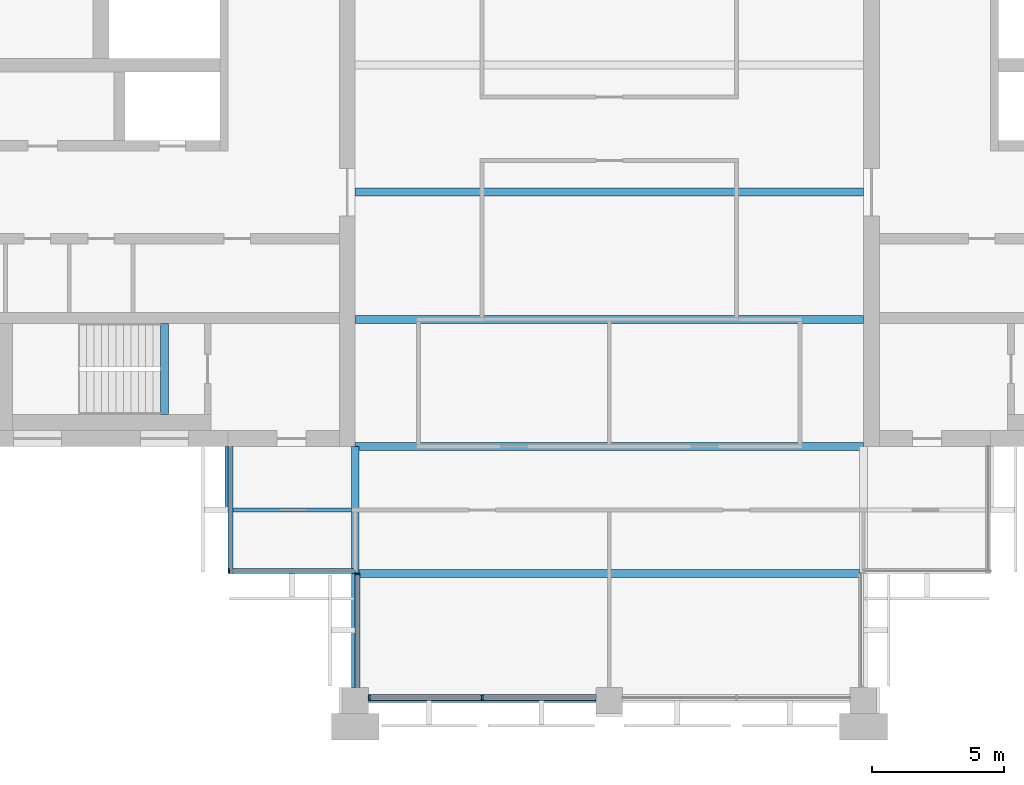
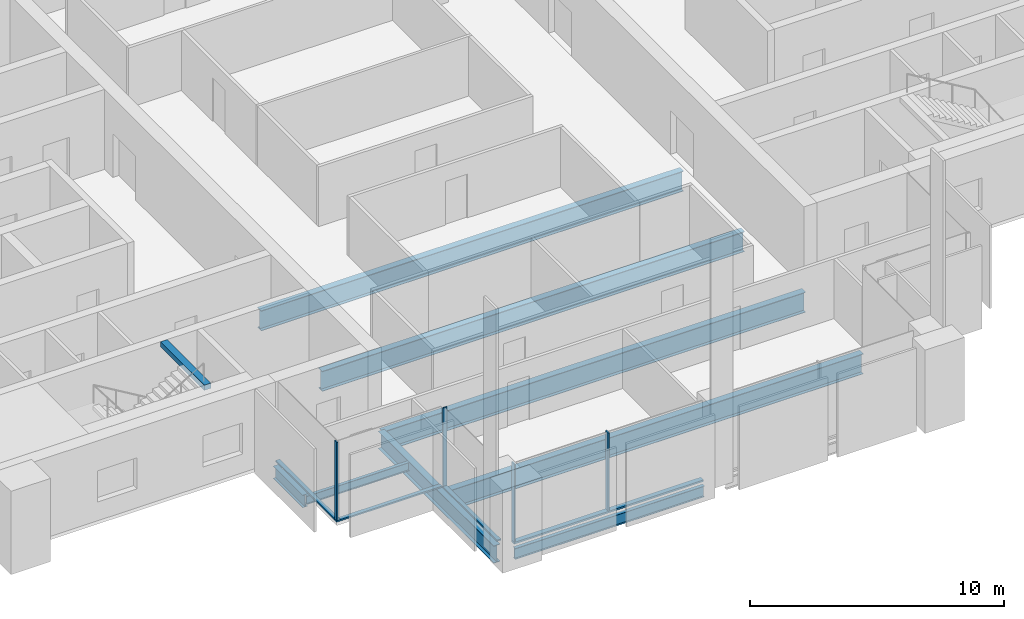
# One storey, part 2 of 13: 9 beams, 8 members, 4 elements without a shape of their own.
"""IFC4 building model written with IfcOpenShell, lengths in metres."""

import ifcopenshell
import ifcopenshell.guid

model = None  # the IFC model being written
_history = None  # IfcOwnerHistory: only IFC2X3 demands one
_inside = {}  # id of a spatial element -> (the spatial element, [elements in it])
_under = {}  # id of a project, library or spatial element -> (it, [spatial elements below it])
_declared = {}  # id of a project -> (the project, [libraries it declares])
_typed = {}  # id of a type object -> (the type object, [elements of that type])
_made_of = {}  # id of a material, layer set ... -> (it, [elements and type objects made of it])


def new_model(schema):
    """Start an empty IFC model of exactly this schema.

    Asked for "IFC4X3", IfcOpenShell would pick the latest addendum, in which some entities
    have other attributes; the version numbers below select the first issue.
    IFC2X3 requires an IfcOwnerHistory on every rooted entity: one is made here for all.
    """
    global model, _history
    if schema == "IFC4X3":
        model = ifcopenshell.file(schema_version=(4, 3, 0, 0))
    else:
        model = ifcopenshell.file(schema=schema)
    _inside.clear()
    _under.clear()
    _declared.clear()
    _typed.clear()
    _made_of.clear()
    _history = None
    if model.schema == "IFC2X3":
        org = make("IfcOrganization", Name="unknown")
        user = make(
            "IfcPersonAndOrganization",
            ThePerson=make("IfcPerson", FamilyName="unknown"),
            TheOrganization=org,
        )
        app = make(
            "IfcApplication",
            ApplicationDeveloper=org,
            Version="unknown",
            ApplicationFullName="unknown",
            ApplicationIdentifier="unknown",
        )
        _history = make(
            "IfcOwnerHistory",
            OwningUser=user,
            OwningApplication=app,
            ChangeAction="ADDED",
            CreationDate=0,
        )
    return model


def make(cls, **values):
    """One entity of the class cls with the attributes given. An attribute that is None is left unset."""
    return model.create_entity(
        cls, **{name: value for name, value in values.items() if value is not None}
    )


def rooted(cls, **values):
    """An entity with a GlobalId (a new one), such as an element, a storey or a relation."""
    return make(cls, GlobalId=ifcopenshell.guid.new(), OwnerHistory=_history, **values)


def si_unit(unit_type, name, prefix=None):
    """IfcSIUnit, for example si_unit("LENGTHUNIT", "METRE", prefix="MILLI")."""
    return make("IfcSIUnit", UnitType=unit_type, Prefix=prefix, Name=name)


def assignment(units):
    """IfcUnitAssignment: the units of a project."""
    return None if units is None else make("IfcUnitAssignment", Units=units)


def point(xyz):
    """IfcCartesianPoint."""
    return None if xyz is None else make("IfcCartesianPoint", Coordinates=xyz)


def direction(xyz):
    """IfcDirection."""
    return None if xyz is None else make("IfcDirection", DirectionRatios=xyz)


def frame(location, z_axis=None, x_axis=None):
    """IfcAxis2Placement3D, a coordinate frame: its origin and axes. An axis left out is left unset."""
    return make(
        "IfcAxis2Placement3D",
        Location=point(location),
        Axis=direction(z_axis),
        RefDirection=direction(x_axis),
    )


def frame_2d(location, x_axis=None):
    """IfcAxis2Placement2D, a coordinate frame in the plane: its origin and x axis."""
    return make(
        "IfcAxis2Placement2D", Location=point(location), RefDirection=direction(x_axis)
    )


def origin():
    """The frame at (0, 0, 0) with its axes left unset."""
    return frame((0.0, 0.0, 0.0))


def origin_2d():
    """The frame at (0, 0) in the plane with its x axis left unset."""
    return frame_2d((0.0, 0.0))


def place(relative_to, where):
    """IfcLocalPlacement: puts the frame where relative to a parent placement (None: the world)."""
    return make(
        "IfcLocalPlacement", PlacementRelTo=relative_to, RelativePlacement=where
    )


def context(
    kind, dimensions, precision=None, world=None, true_north=None, identifier=None
):
    """IfcGeometricRepresentationContext, for example the 3D "Model" context."""
    return make(
        "IfcGeometricRepresentationContext",
        ContextIdentifier=identifier,
        ContextType=kind,
        CoordinateSpaceDimension=dimensions,
        Precision=precision,
        WorldCoordinateSystem=world,
        TrueNorth=true_north,
    )


def subcontext(parent, identifier, kind, view, scale=None):
    """IfcGeometricRepresentationSubContext, for example "Body" below "Model"."""
    return make(
        "IfcGeometricRepresentationSubContext",
        ContextIdentifier=identifier,
        ContextType=kind,
        ParentContext=parent,
        TargetScale=scale,
        TargetView=view,
    )


def project(units=None, contexts=None):
    """IfcProject with its units and contexts."""
    return rooted(
        "IfcProject",
        Name="project",
        RepresentationContexts=contexts,
        UnitsInContext=assignment(units),
    )


def spatial(cls, under=None, at=None, **own):
    """A site, building, storey or space (cls), placed at a placement, below another one or the project."""
    s = rooted(cls, ObjectPlacement=at, **own)
    if under is not None:
        _under.setdefault(under.id(), (under, []))[1].append(s)
    return s


def profile(cls, at=None, kind="AREA", **sizes):
    """A parametric profile (cls). Its sizes go by their IFC names, for example OverallWidth=200.0."""
    return make(cls, ProfileType=kind, Position=at, **sizes)


def rectangle(**sizes):
    """IfcRectangleProfileDef."""
    return profile("IfcRectangleProfileDef", **sizes)


def i_section(**sizes):
    """IfcIShapeProfileDef."""
    return profile("IfcIShapeProfileDef", **sizes)


def extrude(swept, where, along, depth):
    """IfcExtrudedAreaSolid: the profile swept, set in the frame where, extruded along a direction by depth."""
    return make(
        "IfcExtrudedAreaSolid",
        SweptArea=swept,
        Position=where,
        ExtrudedDirection=direction(along),
        Depth=depth,
    )


def shape(context_of_items, identifier, shape_type, items):
    """IfcShapeRepresentation: the items that make up one representation, for example the "Body"."""
    return make(
        "IfcShapeRepresentation",
        ContextOfItems=context_of_items,
        RepresentationIdentifier=identifier,
        RepresentationType=shape_type,
        Items=items,
    )


def material(Name=None, Category=None):
    """IfcMaterial."""
    return make("IfcMaterial", Name=Name, Category=Category)


def material_profile(
    of_material, cross_section, Name=None, Category=None, Priority=None
):
    """IfcMaterialProfile: a cross section and its material."""
    return make(
        "IfcMaterialProfile",
        Name=Name,
        Material=of_material,
        Profile=cross_section,
        Priority=Priority,
        Category=Category,
    )


def profile_set(profiles, Name=None, composite=None):
    """IfcMaterialProfileSet."""
    return make(
        "IfcMaterialProfileSet",
        Name=Name,
        MaterialProfiles=profiles,
        CompositeProfile=composite,
    )


def made_of(thing, what):
    """Note that an element or type object is made of a material, layer set ...; save() writes the relation."""
    if what is not None:
        _made_of.setdefault(what.id(), (what, []))[1].append(thing)
    return thing


def type_object(cls, material=None, **own):
    """A type object (cls), such as IfcWallType, which elements share."""
    return made_of(rooted(cls, **own), material)


def element(
    cls,
    number,
    at=None,
    inside=None,
    cuts=None,
    type_object=None,
    material=None,
    context=None,
    identifier="Body",
    shape_type=None,
    held_by="IfcProductDefinitionShape",
    body=None,
    shapes=None,
    **own,
):
    """One element of the class cls, such as IfcWall. Its Tag is "e" and its number.

    at: its placement. inside: the storey or other place that contains it. cuts: it is an
    opening in that element (IfcRelVoidsElement). A single representation is given by context,
    identifier, shape_type and body (its items); several are given by shapes. held_by: the class
    of the entity that holds the representations. save() writes the other relations.
    """
    e = rooted(cls, Tag="e%d" % number, ObjectPlacement=at, **own)
    if body is not None:
        shapes = [shape(context, identifier, shape_type, body)]
    if shapes is not None:
        e.Representation = make(held_by, Representations=shapes)
    if inside is not None:
        _inside.setdefault(inside.id(), (inside, []))[1].append(e)
    if cuts is not None:
        rooted(
            "IfcRelVoidsElement", RelatingBuildingElement=cuts, RelatedOpeningElement=e
        )
    if type_object is not None:
        _typed.setdefault(type_object.id(), (type_object, []))[1].append(e)
    return made_of(e, material)


def aggregate(whole, parts):
    """IfcRelAggregates: a whole, such as a stair, and the parts it consists of."""
    return rooted("IfcRelAggregates", RelatingObject=whole, RelatedObjects=parts)


def save(model, path):
    """Write the relations noted so far, then the file.

    IfcRelAggregates (storeys below a building ...), IfcRelContainedInSpatialStructure (elements
    in a storey), IfcRelDefinesByType, IfcRelAssociatesMaterial and IfcRelDeclares: one each for
    every whole, place, type object, material and project.
    """
    for whole, parts in _under.values():
        aggregate(whole, parts)
    for where, things in _inside.values():
        rooted(
            "IfcRelContainedInSpatialStructure",
            RelatedElements=things,
            RelatingStructure=where,
        )
    for kind, things in _typed.values():
        rooted("IfcRelDefinesByType", RelatedObjects=things, RelatingType=kind)
    for what, things in _made_of.values():
        rooted("IfcRelAssociatesMaterial", RelatedObjects=things, RelatingMaterial=what)
    for by, libraries in _declared.values():
        rooted("IfcRelDeclares", RelatingContext=by, RelatedDefinitions=libraries)
    model.write(path)


model = new_model("IFC4")

# Units and contexts
model_context = context("Model", 3, precision=1e-05, world=origin(), true_north=direction((0.0, 1.0)))
body_context = subcontext(model_context, "Body", "Model", "MODEL_VIEW")
ifc_project = project(units=[si_unit("LENGTHUNIT", "METRE"), si_unit("AREAUNIT", "SQUARE_METRE"), si_unit("VOLUMEUNIT", "CUBIC_METRE"), si_unit("PLANEANGLEUNIT", "RADIAN"), si_unit("MASSUNIT", "GRAM", prefix="KILO")], contexts=[model_context])

# Site, building, storey
site_placement = place(None, origin())
site = spatial("IfcSite", under=ifc_project, at=site_placement, CompositionType="ELEMENT")
building_placement = place(site_placement, origin())
building = spatial("IfcBuilding", under=site, at=building_placement, Name="Baori Bourse Tower", CompositionType="ELEMENT")
storey_placement = place(building_placement, frame((0.0, 0.0, 318.300048828125)))
storey = spatial("IfcBuildingStorey", under=building, at=storey_placement, Name="L70", CompositionType="ELEMENT", Elevation=318.300048828125)

# Curtain wall, member
ifc_material_1 = material(Name="Pale anodised aluminium", Category="aluminium")
curtain_wall_type_1 = type_object("IfcCurtainWallType", Name="CW2 Curtain wall", PredefinedType="NOTDEFINED", material=ifc_material_1)
curtain_wall_1_placement = place(storey_placement, origin())
curtain_wall_1 = element("IfcCurtainWall", 1, at=curtain_wall_1_placement, inside=storey, type_object=curtain_wall_type_1, Name="Curtain wall CW2 L70 9", PredefinedType="NOTDEFINED")
ifc_material_2 = material(Name="Pale anodised aluminium", Category="aluminium")
ifc_material_profile_1 = material_profile(ifc_material_2, rectangle(XDim=0.179931640625, YDim=0.054931640625, at=origin_2d()), Name="Mullion 55x180")
ifc_profile_set_1 = profile_set([ifc_material_profile_1], Name="Pale anodised aluminium")
member_type_1 = type_object("IfcMemberType", Name="CW2 Curtain wall mullion", PredefinedType="MULLION", material=ifc_profile_set_1)
member_1_placement = place(storey_placement, frame((14.427490234375, 4.889892578125, 0.070068359375), z_axis=(0.0, 0.0, 1.0), x_axis=(0.0, 1.0, 0.0)))
member_1 = element("IfcMember", 2, at=member_1_placement, type_object=member_type_1, Name="Curtain wall CW2 mullion", PredefinedType="MULLION", context=body_context, shape_type="SweptSolid", body=[
    extrude(rectangle(XDim=0.179931640625, YDim=0.054931640625, at=origin_2d()), origin(), (0.0, 0.0, 1.0), 3.769775390625),
])

curtain_wall_2_placement = place(storey_placement, origin())
curtain_wall_2 = element("IfcCurtainWall", 3, at=curtain_wall_2_placement, inside=storey, type_object=curtain_wall_type_1, Name="Curtain wall CW2 L70 10", PredefinedType="NOTDEFINED")
member_2_placement = place(storey_placement, frame((19.2900390625, 4.7724609375, 0.070068359375), z_axis=(0.0, 0.0, 1.0), x_axis=(1.0, 0.0, 0.0)))
member_2 = element("IfcMember", 4, at=member_2_placement, type_object=member_type_1, Name="Curtain wall CW2 mullion", PredefinedType="MULLION", context=body_context, shape_type="SweptSolid", body=[
    extrude(rectangle(XDim=0.179931640625, YDim=0.054931640625, at=origin_2d()), origin(), (0.0, 0.0, 1.0), 3.769775390625),
])

curtain_wall_3_placement = place(storey_placement, origin())
curtain_wall_3 = element("IfcCurtainWall", 5, at=curtain_wall_3_placement, inside=storey, type_object=curtain_wall_type_1, Name="Curtain wall CW2 L70 8", PredefinedType="NOTDEFINED")
ifc_material_3 = material(Name="Pale anodised aluminium", Category="aluminium")
ifc_material_profile_2 = material_profile(ifc_material_3, rectangle(XDim=0.179931640625, YDim=0.070068359375, at=origin_2d()), Name="Transom 70x180")
ifc_profile_set_2 = profile_set([ifc_material_profile_2], Name="Pale anodised aluminium")
member_type_2 = type_object("IfcMemberType", Name="CW2 Curtain wall transom", PredefinedType="USERDEFINED", material=ifc_profile_set_2)
member_3_placement = place(storey_placement, frame((14.489990234375, 9.60009765625, 0.034912109375), z_axis=(0.0, -1.0, 0.0), x_axis=(1.0, 0.0, 0.0)))
member_3 = element("IfcMember", 6, at=member_3_placement, type_object=member_type_2, Name="Curtain wall CW2 sill rail", ObjectType="TRANSOM", PredefinedType="USERDEFINED", context=body_context, shape_type="SweptSolid", body=[
    extrude(rectangle(XDim=0.179931640625, YDim=0.070068359375, at=origin_2d()), origin(), (0.0, 0.0, 1.0), 4.800048828125),
])
aggregate(curtain_wall_3, [member_3])

# Member
member_4_placement = place(storey_placement, frame((14.39990234375, 4.889892578125, 0.034912109375), z_axis=(1.0, 0.0, 0.0), x_axis=(0.0, 1.0, 0.0)))
member_4 = element("IfcMember", 7, at=member_4_placement, type_object=member_type_2, Name="Curtain wall CW2 sill rail", ObjectType="TRANSOM", PredefinedType="USERDEFINED", context=body_context, shape_type="SweptSolid", body=[
    extrude(rectangle(XDim=0.179931640625, YDim=0.070068359375, at=origin_2d()), origin(), (0.0, 0.0, 1.0), 4.800048828125),
])

aggregate(curtain_wall_1, [member_4, member_1])

member_5_placement = place(storey_placement, frame((19.2900390625, 4.800048828125, 0.034912109375), z_axis=(0.0, -1.0, 0.0), x_axis=(1.0, 0.0, 0.0)))
member_5 = element("IfcMember", 8, at=member_5_placement, type_object=member_type_2, Name="Curtain wall CW2 sill rail", ObjectType="TRANSOM", PredefinedType="USERDEFINED", context=body_context, shape_type="SweptSolid", body=[
    extrude(rectangle(XDim=0.179931640625, YDim=0.070068359375, at=origin_2d()), origin(), (0.0, 0.0, 1.0), 4.300048828125),
])

aggregate(curtain_wall_2, [member_5, member_2])

# Curtain wall, members
ifc_material_4 = material(Name="Pale anodised aluminium", Category="aluminium")
curtain_wall_type_2 = type_object("IfcCurtainWallType", Name="CW5 Curtain wall", PredefinedType="NOTDEFINED", material=ifc_material_4)
curtain_wall_4_placement = place(storey_placement, origin())
curtain_wall_4 = element("IfcCurtainWall", 9, at=curtain_wall_4_placement, inside=storey, type_object=curtain_wall_type_2, Name="Curtain wall CW5 L70 11", PredefinedType="NOTDEFINED")
ifc_material_5 = material(Name="Pale anodised aluminium", Category="aluminium")
ifc_material_profile_3 = material_profile(ifc_material_5, rectangle(XDim=0.219970703125, YDim=0.06494140625, at=origin_2d()), Name="Mullion 65x220")
ifc_profile_set_3 = profile_set([ifc_material_profile_3], Name="Pale anodised aluminium")
member_type_3 = type_object("IfcMemberType", Name="CW5 Curtain wall mullion", PredefinedType="MULLION", material=ifc_profile_set_3)
member_6_placement = place(storey_placement, frame((19.732421875, 0.110107421875, 0.0849609375), z_axis=(0.0, 0.0, 1.0), x_axis=(0.0, 1.0, 0.0)))
member_6 = element("IfcMember", 10, at=member_6_placement, type_object=member_type_3, Name="Curtain wall CW5 mullion", PredefinedType="MULLION", context=body_context, shape_type="SweptSolid", body=[
    extrude(rectangle(XDim=0.219970703125, YDim=0.06494140625, at=origin_2d()), origin(), (0.0, 0.0, 1.0), 3.7548828125),
])
member_7_placement = place(storey_placement, frame((24.0, 0.110107421875, 0.0849609375), z_axis=(0.0, 0.0, 1.0), x_axis=(0.0, 1.0, 0.0)))
member_7 = element("IfcMember", 11, at=member_7_placement, type_object=member_type_3, Name="Curtain wall CW5 mullion", PredefinedType="MULLION", context=body_context, shape_type="SweptSolid", body=[
    extrude(rectangle(XDim=0.219970703125, YDim=0.06494140625, at=origin_2d()), origin(), (0.0, 0.0, 1.0), 3.7548828125),
])
ifc_material_6 = material(Name="Pale anodised aluminium", Category="aluminium")
ifc_material_profile_4 = material_profile(ifc_material_6, rectangle(XDim=0.219970703125, YDim=0.0849609375, at=origin_2d()), Name="Transom 85x220")
ifc_profile_set_4 = profile_set([ifc_material_profile_4], Name="Pale anodised aluminium")
member_type_4 = type_object("IfcMemberType", Name="CW5 Curtain wall transom", PredefinedType="USERDEFINED", material=ifc_profile_set_4)
member_8_placement = place(storey_placement, frame((19.699951171875, 0.110107421875, 0.04248046875), z_axis=(1.0, 0.0, 0.0), x_axis=(0.0, 1.0, 0.0)))
member_8 = element("IfcMember", 12, at=member_8_placement, type_object=member_type_4, Name="Curtain wall CW5 sill rail", ObjectType="TRANSOM", PredefinedType="USERDEFINED", context=body_context, shape_type="SweptSolid", body=[
    extrude(rectangle(XDim=0.219970703125, YDim=0.0849609375, at=origin_2d()), origin(), (0.0, 0.0, 1.0), 8.60009765625),
])
aggregate(curtain_wall_4, [member_8, member_6, member_7])

# Beams
ifc_material_7 = material(Name="Steel A992 Gr 50", Category="steel")
ifc_material_profile_5 = material_profile(ifc_material_7, i_section(OverallWidth=0.227783203125, OverallDepth=0.60205078125, WebThickness=0.010498046875, FlangeThickness=0.014892578125, at=origin_2d()), Name="W24x68")
ifc_profile_set_5 = profile_set([ifc_material_profile_5], Name="Steel A992 Gr 50")
beam_type_1 = type_object("IfcBeamType", Name="Core bracket W24x68", PredefinedType="BEAM", material=ifc_profile_set_5)
beam_1_placement = place(storey_placement, frame((14.39990234375, 7.270263671875, -0.4609375), z_axis=(0.0, 1.0, 0.0), x_axis=(-1.0, 0.0, 0.0)))
element("IfcBeam", 13, at=beam_1_placement, inside=storey, type_object=beam_type_1, Name="Core bracket L70", PredefinedType="BEAM", context=body_context, shape_type="SweptSolid", body=[
    extrude(i_section(OverallWidth=0.227783203125, OverallDepth=0.60205078125, WebThickness=0.010498046875, FlangeThickness=0.014892578125, at=origin_2d()), origin(), (0.0, 0.0, 1.0), 2.329833984375),
])
ifc_material_8 = material(Name="Steel A992 Gr 50", Category="steel")
ifc_material_profile_6 = material_profile(ifc_material_8, i_section(OverallWidth=0.1650390625, OverallDepth=0.52587890625, WebThickness=0.0087890625, FlangeThickness=0.011474609375, at=origin_2d()), Name="W21x44")
ifc_profile_set_6 = profile_set([ifc_material_profile_6], Name="Steel A992 Gr 50")
beam_type_2 = type_object("IfcBeamType", Name="Edge beam W21x44", PredefinedType="BEAM", material=ifc_profile_set_6)
beam_2_placement = place(storey_placement, frame((19.699951171875, 0.0, -0.4228515625), z_axis=(1.0, 0.0, 0.0), x_axis=(0.0, 1.0, 0.0)))
element("IfcBeam", 14, at=beam_2_placement, inside=storey, type_object=beam_type_2, Name="Edge beam L70", PredefinedType="BEAM", context=body_context, shape_type="SweptSolid", body=[
    extrude(i_section(OverallWidth=0.1650390625, OverallDepth=0.52587890625, WebThickness=0.0087890625, FlangeThickness=0.011474609375, at=origin_2d()), origin(), (0.0, 0.0, 1.0), 8.60009765625),
])
ifc_material_9 = material(Name="Steel A992 Gr 50", Category="steel")
ifc_material_profile_7 = material_profile(ifc_material_9, i_section(OverallWidth=0.2998046875, OverallDepth=0.97021484375, WebThickness=0.01611328125, FlangeThickness=0.02099609375, at=origin_2d()), Name="W40x149")
ifc_profile_set_7 = profile_set([ifc_material_profile_7], Name="Steel A992 Gr 50")
beam_type_3 = type_object("IfcBeamType", Name="Floor beam W40x149", PredefinedType="BEAM", material=ifc_profile_set_7)
beam_3_placement = place(storey_placement, frame((19.345947265625, 4.800048828125, -0.645263671875), z_axis=(1.0, 0.0, 0.0), x_axis=(0.0, 1.0, 0.0)))
element("IfcBeam", 15, at=beam_3_placement, inside=storey, type_object=beam_type_3, Name="Floor beam L70", PredefinedType="BEAM", context=body_context, shape_type="SweptSolid", body=[
    extrude(i_section(OverallWidth=0.2998046875, OverallDepth=0.97021484375, WebThickness=0.01611328125, FlangeThickness=0.02099609375, at=origin_2d()), origin(), (0.0, 0.0, 1.0), 18.907958984375),
])
for number, where, z_axis, x_axis, name in (
    (16, (19.199951171875, 9.60009765625, -0.645263671875), (1.0, 0.0, 0.0), (0.0, 1.0, 0.0), "Floor beam L70"),
    (17, (19.199951171875, 14.39990234375, -0.645263671875), (1.0, 0.0, 0.0), (0.0, 1.0, 0.0), "Floor beam L70"),
    (18, (19.199951171875, 19.199951171875, -0.645263671875), (1.0, 0.0, 0.0), (0.0, 1.0, 0.0), "Floor beam L70"),
):
    element("IfcBeam", number, at=place(storey_placement, frame(where, z_axis=z_axis, x_axis=x_axis)), inside=storey, type_object=beam_type_3, Name=name, PredefinedType="BEAM", context=body_context, shape_type="SweptSolid", body=[
        extrude(i_section(OverallWidth=0.2998046875, OverallDepth=0.97021484375, WebThickness=0.01611328125, FlangeThickness=0.02099609375, at=origin_2d()), origin(), (0.0, 0.0, 1.0), 19.199951171875),
    ])
ifc_material_10 = material(Name="Steel A992 Gr 50", Category="steel")
ifc_material_profile_8 = material_profile(ifc_material_10, i_section(OverallWidth=0.2919921875, OverallDepth=0.835693359375, WebThickness=0.013916015625, FlangeThickness=0.018798828125, at=origin_2d()), Name="W33x118")
ifc_profile_set_8 = profile_set([ifc_material_profile_8], Name="Steel A992 Gr 50")
beam_type_4 = type_object("IfcBeamType", Name="Girder W33x118", PredefinedType="BEAM", material=ifc_profile_set_8)
beam_4_placement = place(storey_placement, frame((19.199951171875, 0.5, -0.577880859375), z_axis=(0.0, 1.0, 0.0), x_axis=(-1.0, 0.0, 0.0)))
element("IfcBeam", 19, at=beam_4_placement, inside=storey, type_object=beam_type_4, Name="Girder L70", PredefinedType="BEAM", context=body_context, shape_type="SweptSolid", body=[
    extrude(i_section(OverallWidth=0.2919921875, OverallDepth=0.835693359375, WebThickness=0.013916015625, FlangeThickness=0.018798828125, at=origin_2d()), origin(), (0.0, 0.0, 1.0), 9.10009765625),
])
ifc_material_11 = material(Name="Concrete f'c 50 MPa", Category="concrete")
ifc_material_profile_9 = material_profile(ifc_material_11, rectangle(XDim=0.300048828125, YDim=0.25, at=origin_2d()), Name="RC 300x250")
ifc_profile_set_9 = profile_set([ifc_material_profile_9], Name="Concrete f'c 50 MPa")
beam_type_5 = type_object("IfcBeamType", Name="Stair nib beam RC 300x250", PredefinedType="BEAM", material=ifc_profile_set_9)
beam_5_placement = place(storey_placement, frame((12.0, 10.800048828125, 3.71484375), z_axis=(0.0, 1.0, 0.0), x_axis=(-1.0, 0.0, 0.0)))
element("IfcBeam", 20, at=beam_5_placement, inside=storey, type_object=beam_type_5, Name="Stair WA nib beam L71", PredefinedType="BEAM", context=body_context, shape_type="SweptSolid", body=[
    extrude(rectangle(XDim=0.300048828125, YDim=0.25, at=origin_2d()), origin(), (0.0, 0.0, 1.0), 3.449951171875),
])
ifc_material_12 = material(Name="Steel A992 Gr 50", Category="steel")
ifc_material_profile_10 = material_profile(ifc_material_12, i_section(OverallWidth=0.140380859375, OverallDepth=0.40380859375, WebThickness=0.007080078125, FlangeThickness=0.01123046875, at=origin_2d()), Name="W16x31")
ifc_profile_set_10 = profile_set([ifc_material_profile_10], Name="Steel A992 Gr 50")
beam_type_6 = type_object("IfcBeamType", Name="Trimmer beam W16x31", PredefinedType="BEAM", material=ifc_profile_set_10)
beam_6_placement = place(storey_placement, frame((14.39990234375, 7.199951171875, -0.362060546875), z_axis=(1.0, 0.0, 0.0), x_axis=(0.0, 1.0, 0.0)))
element("IfcBeam", 21, at=beam_6_placement, inside=storey, type_object=beam_type_6, Name="Trimmer beam L70", PredefinedType="BEAM", context=body_context, shape_type="SweptSolid", body=[
    extrude(i_section(OverallWidth=0.140380859375, OverallDepth=0.40380859375, WebThickness=0.007080078125, FlangeThickness=0.01123046875, at=origin_2d()), origin(), (0.0, 0.0, 1.0), 4.654052734375),
])

save(model, "model.ifc")
